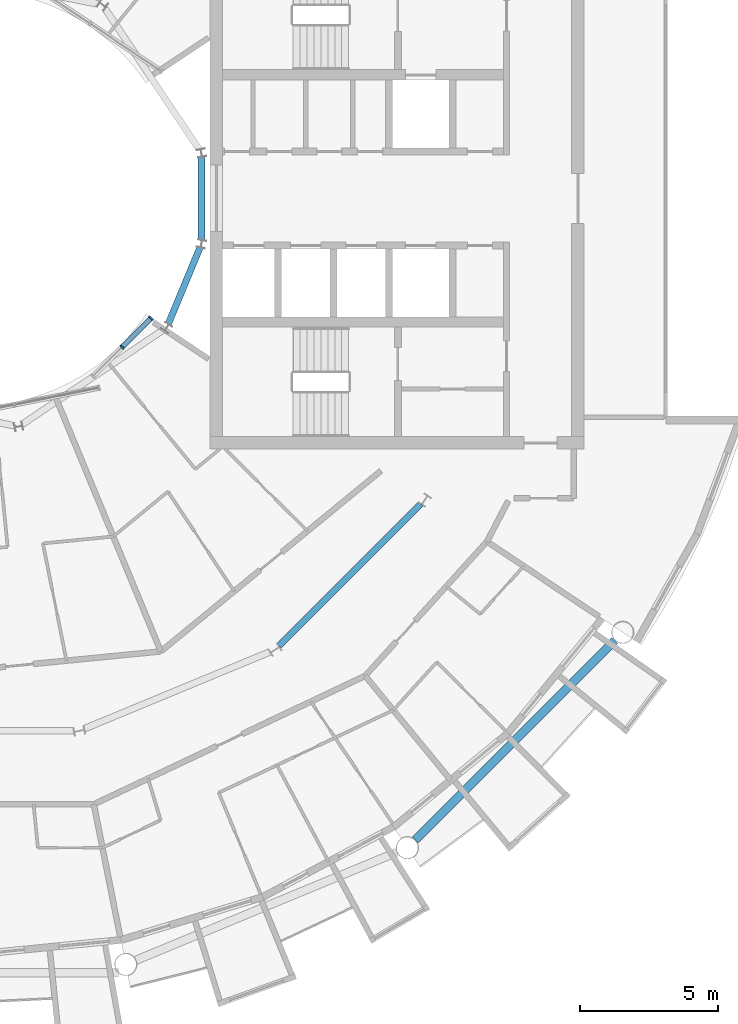
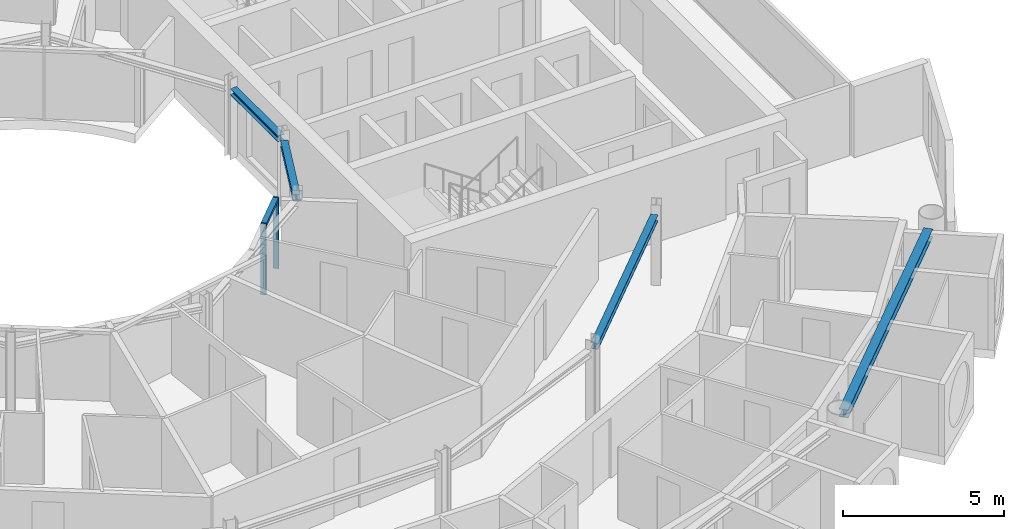
# One storey, part 8 of 29: 4 beams, 3 members, 1 element without a shape of its own.
"""IFC4 building model written with IfcOpenShell, lengths in metres."""

from ifc_helpers import new_model, si_unit, direction, frame, origin, origin_2d, place, context, subcontext, project, spatial, rectangle, i_section, extrude, material, layer, layer_set, material_profile, profile_set, type_object, element, aggregate, save


model = new_model("IFC4")

# Units and contexts
model_context = context("Model", 3, precision=1e-05, world=origin(), true_north=direction((0.0, 1.0)))
body_context = subcontext(model_context, "Body", "Model", "MODEL_VIEW")
ifc_project = project(units=[si_unit("LENGTHUNIT", "METRE"), si_unit("AREAUNIT", "SQUARE_METRE"), si_unit("VOLUMEUNIT", "CUBIC_METRE"), si_unit("PLANEANGLEUNIT", "RADIAN"), si_unit("MASSUNIT", "GRAM", prefix="KILO")], contexts=[model_context])

# Site, building, storey
site_placement = place(None, origin())
site = spatial("IfcSite", under=ifc_project, at=site_placement, CompositionType="ELEMENT")
building_placement = place(site_placement, origin())
building = spatial("IfcBuilding", under=site, at=building_placement, Name="Maasbend Ring Residences", CompositionType="ELEMENT")
storey_placement = place(building_placement, frame((0.0, 0.0, 212.699951171875)))
storey = spatial("IfcBuildingStorey", under=building, at=storey_placement, Name="L61", CompositionType="ELEMENT", Elevation=212.699951171875)

# Curtain wall, members
ifc_material_1 = material(Name="Aluminium and clear glass", Category="aluminium")
ifc_layer = layer(ifc_material_1, 0.179931640625)
ifc_layer_set = layer_set([ifc_layer], Name="CW-W")
curtain_wall_type = type_object("IfcCurtainWallType", Name="CW-W", PredefinedType="NOTDEFINED", material=ifc_layer_set)
curtain_wall_placement = place(storey_placement, origin())
curtain_wall = element("IfcCurtainWall", 1, at=curtain_wall_placement, inside=storey, type_object=curtain_wall_type, Name="Well curtain wall S3", PredefinedType="NOTDEFINED")
ifc_material_2 = material(Name="Aluminium 6063-T6", Category="aluminium")
ifc_material_profile_1 = material_profile(ifc_material_2, rectangle(XDim=0.179931640625, YDim=0.06005859375, at=origin_2d()), Name="AL 180x60")
ifc_profile_set_1 = profile_set([ifc_material_profile_1], Name="Aluminium 6063-T6")
member_type_1 = type_object("IfcMemberType", Name="CWM-W", PredefinedType="MULLION", material=ifc_profile_set_1)
member_1_placement = place(storey_placement, frame((5.366943359375, -5.366943359375, 0.0), z_axis=(0.0, 0.0, 1.0), x_axis=(-0.707106781187, 0.707106781187, 0.0)))
member_1 = element("IfcMember", 2, at=member_1_placement, type_object=member_type_1, Name="Mullion well face", PredefinedType="MULLION", context=body_context, shape_type="SweptSolid", body=[
    extrude(rectangle(XDim=0.179931640625, YDim=0.06005859375, at=origin_2d()), origin(), (0.0, 0.0, 1.0), 2.699951171875),
])
member_2_placement = place(storey_placement, frame((6.413330078125, -4.320556640625, 0.0), z_axis=(0.0, 0.0, 1.0), x_axis=(-0.707106781187, 0.707106781187, 0.0)))
member_2 = element("IfcMember", 3, at=member_2_placement, type_object=member_type_1, Name="Mullion well face", PredefinedType="MULLION", context=body_context, shape_type="SweptSolid", body=[
    extrude(rectangle(XDim=0.179931640625, YDim=0.06005859375, at=origin_2d()), origin(), (0.0, 0.0, 1.0), 2.699951171875),
])
ifc_material_3 = material(Name="Aluminium 6063-T6", Category="aluminium")
ifc_material_profile_2 = material_profile(ifc_material_3, rectangle(XDim=0.179931640625, YDim=0.1201171875, at=origin_2d()), Name="AL 180x120")
ifc_profile_set_2 = profile_set([ifc_material_profile_2], Name="Aluminium 6063-T6")
member_type_2 = type_object("IfcMemberType", Name="CWT-W", PredefinedType="USERDEFINED", material=ifc_profile_set_2)
member_3_placement = place(storey_placement, frame((5.38818359375, -5.345703125, 2.64013671875), z_axis=(0.707106781187, 0.707106781187, 0.0), x_axis=(-0.707106781187, 0.707106781187, 0.0)))
member_3 = element("IfcMember", 4, at=member_3_placement, type_object=member_type_2, Name="Transom well face", ObjectType="TRANSOM", PredefinedType="USERDEFINED", context=body_context, shape_type="SweptSolid", body=[
    extrude(rectangle(XDim=0.179931640625, YDim=0.1201171875, at=origin_2d()), origin(), (0.0, 0.0, 1.0), 1.419677734375),
])
aggregate(curtain_wall, [member_1, member_2, member_3])

# Beams
ifc_material_4 = material(Name="Steel S355J2", Category="steel")
ifc_material_profile_3 = material_profile(ifc_material_4, i_section(OverallWidth=0.239990234375, OverallDepth=0.22998046875, WebThickness=0.007568359375, FlangeThickness=0.011962890625, FilletRadius=0.02099609375, at=origin_2d()), Name="HEA 240")
ifc_profile_set_3 = profile_set([ifc_material_profile_3], Name="Steel S355J2")
beam_type_1 = type_object("IfcBeamType", Name="Corridor ring beam HEA 240", PredefinedType="BEAM", material=ifc_profile_set_3)
beam_1_placement = place(storey_placement, frame((11.033447265625, -16.152587890625, 2.5849609375), z_axis=(0.707106781187, 0.707106781187, 0.0), x_axis=(-0.707106781187, 0.707106781187, 0.0)))
element("IfcBeam", 5, at=beam_1_placement, inside=storey, type_object=beam_type_1, Name="Corridor ring beam", PredefinedType="BEAM", context=body_context, shape_type="SweptSolid", body=[
    extrude(i_section(OverallWidth=0.239990234375, OverallDepth=0.22998046875, WebThickness=0.007568359375, FlangeThickness=0.011962890625, FilletRadius=0.02099609375, at=origin_2d()), origin(), (0.0, 0.0, 1.0), 7.239501953125),
])
ifc_material_5 = material(Name="Steel S355J2", Category="steel")
ifc_material_profile_4 = material_profile(ifc_material_5, i_section(OverallWidth=0.300048828125, OverallDepth=0.300048828125, WebThickness=0.010986328125, FlangeThickness=0.01904296875, FilletRadius=0.027099609375, at=origin_2d()), Name="HEB 300")
ifc_profile_set_4 = profile_set([ifc_material_profile_4], Name="Steel S355J2")
beam_type_2 = type_object("IfcBeamType", Name="Spandrel ring beam HEB 300", PredefinedType="SPANDREL", material=ifc_profile_set_4)
beam_2_placement = place(storey_placement, frame((15.95458984375, -23.159912109375, 2.550048828125), z_axis=(0.707106781187, 0.707106781187, 0.0), x_axis=(-0.707106781187, 0.707106781187, 0.0)))
element("IfcBeam", 6, at=beam_2_placement, inside=storey, type_object=beam_type_2, Name="Spandrel ring beam", PredefinedType="SPANDREL", context=body_context, shape_type="SweptSolid", body=[
    extrude(i_section(OverallWidth=0.300048828125, OverallDepth=0.300048828125, WebThickness=0.010986328125, FlangeThickness=0.01904296875, FilletRadius=0.027099609375, at=origin_2d()), origin(), (0.0, 0.0, 1.0), 10.18994140625),
])
ifc_material_6 = material(Name="Steel S355J2", Category="steel")
ifc_material_profile_5 = material_profile(ifc_material_6, i_section(OverallWidth=0.239990234375, OverallDepth=0.22998046875, WebThickness=0.007568359375, FlangeThickness=0.011962890625, FilletRadius=0.02099609375, at=origin_2d()), Name="HEA 240")
ifc_profile_set_5 = profile_set([ifc_material_profile_5], Name="Steel S355J2")
beam_type_3 = type_object("IfcBeamType", Name="Well edge beam HEA 240", PredefinedType="BEAM", material=ifc_profile_set_5)
beam_3_placement = place(storey_placement, frame((7.041015625, -4.5302734375, 2.5849609375), z_axis=(0.382614534057, 0.923908068115, 0.0), x_axis=(-0.923908068115, 0.382614534057, 0.0)))
element("IfcBeam", 7, at=beam_3_placement, inside=storey, type_object=beam_type_3, Name="Well edge beam", PredefinedType="BEAM", context=body_context, shape_type="SweptSolid", body=[
    extrude(i_section(OverallWidth=0.239990234375, OverallDepth=0.22998046875, WebThickness=0.007568359375, FlangeThickness=0.011962890625, FilletRadius=0.02099609375, at=origin_2d()), origin(), (0.0, 0.0, 1.0), 2.981689453125),
])
beam_4_placement = place(storey_placement, frame((8.238525390625, -1.490966796875, 2.5849609375), z_axis=(0.0, 1.0, 0.0), x_axis=(-1.0, 0.0, 0.0)))
element("IfcBeam", 8, at=beam_4_placement, inside=storey, type_object=beam_type_3, Name="Well edge beam", PredefinedType="BEAM", context=body_context, shape_type="SweptSolid", body=[
    extrude(i_section(OverallWidth=0.239990234375, OverallDepth=0.22998046875, WebThickness=0.007568359375, FlangeThickness=0.011962890625, FilletRadius=0.02099609375, at=origin_2d()), origin(), (0.0, 0.0, 1.0), 2.98193359375),
])

save(model, "model.ifc")
